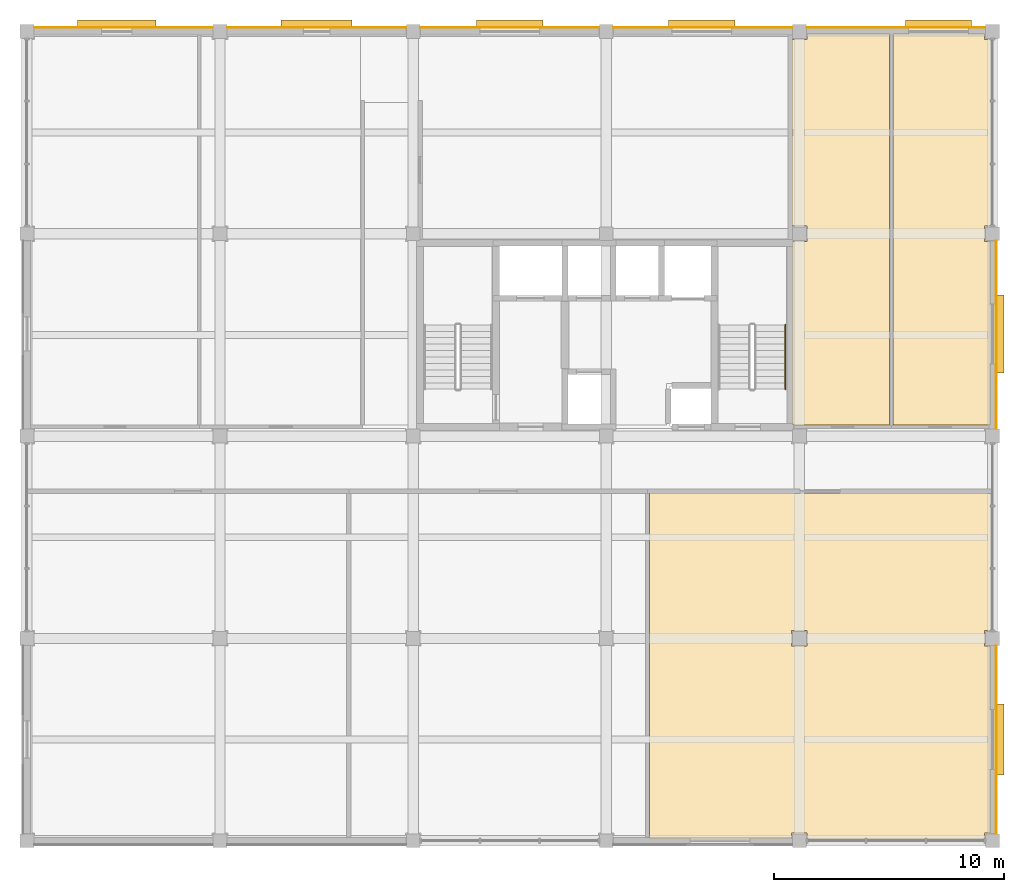
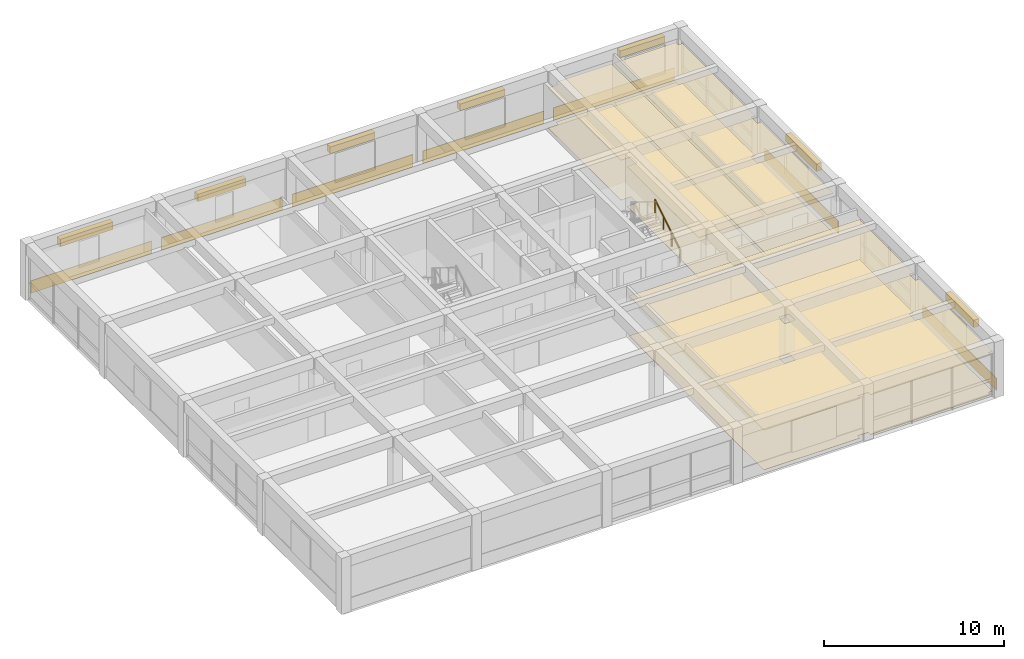
# One storey, part 14 of 14: 13 coverings, 7 shading devices, 1 railing.
"""IFC4 building model written with IfcOpenShell, lengths in metres."""

from ifc_helpers import new_model, si_unit, direction, frame, origin, origin_2d, place, context, subcontext, project, spatial, polyline, rectangle, circle, outline, extrude, material, layer, layer_set, type_object, element, save


model = new_model("IFC4")

# Units and contexts
model_context = context("Model", 3, precision=1e-05, world=origin(), true_north=direction((0.0, 1.0)))
body_context = subcontext(model_context, "Body", "Model", "MODEL_VIEW")
ifc_project = project(units=[si_unit("LENGTHUNIT", "METRE"), si_unit("AREAUNIT", "SQUARE_METRE"), si_unit("VOLUMEUNIT", "CUBIC_METRE"), si_unit("PLANEANGLEUNIT", "RADIAN"), si_unit("MASSUNIT", "GRAM", prefix="KILO")], contexts=[model_context])

# Site, building, storey
site_placement = place(None, origin())
site = spatial("IfcSite", under=ifc_project, at=site_placement, CompositionType="ELEMENT")
building_placement = place(site_placement, origin())
building = spatial("IfcBuilding", under=site, at=building_placement, Name="Kemercrest Conservatory and Botanical Centre", CompositionType="ELEMENT")
storey_placement = place(building_placement, frame((0.0, 0.0, 44.39990234375)))
storey = spatial("IfcBuildingStorey", under=building, at=storey_placement, Name="L11", CompositionType="ELEMENT", Elevation=44.39990234375)

# Coverings
ifc_material_1 = material(Name="Honed limestone almasik ashlar rainscreen", Category="masonry")
ifc_layer_1 = layer(ifc_material_1, 0.0400390625)
ifc_layer_set_1 = layer_set([ifc_layer_1], Name="Honed limestone almasik ashlar rainscreen")
covering_type_1 = type_object("IfcCoveringType", Name="CV-CLD040", PredefinedType="CLADDING", material=ifc_layer_set_1)
covering_1_placement = place(storey_placement, origin())
element("IfcCovering", 1, at=covering_1_placement, inside=storey, type_object=covering_type_1, Name="Exterior stone spandrel cladding (WAL:L11:EXT-303)", PredefinedType="CLADDING", context=body_context, shape_type="SweptSolid", body=[
    extrude(outline(polyline([(176.14990234375, 87.510009765625), (176.18994140625, 87.510009765625), (176.18994140625, 95.68994140625), (176.14990234375, 95.68994140625), (176.14990234375, 87.510009765625)])), origin(), (0.0, 0.0, 1.0), 0.85009765625),
])
covering_2_placement = place(storey_placement, origin())
element("IfcCovering", 2, at=covering_2_placement, inside=storey, type_object=covering_type_1, Name="Exterior stone spandrel cladding (WAL:L11:EXT-304)", PredefinedType="CLADDING", context=body_context, shape_type="SweptSolid", body=[
    extrude(outline(polyline([(176.14990234375, 105.110107421875), (176.18994140625, 105.110107421875), (176.18994140625, 113.2900390625), (176.14990234375, 113.2900390625), (176.14990234375, 105.110107421875)])), origin(), (0.0, 0.0, 1.0), 0.85009765625),
])
covering_3_placement = place(storey_placement, origin())
element("IfcCovering", 3, at=covering_3_placement, inside=storey, type_object=covering_type_1, Name="Exterior stone spandrel cladding (WAL:L11:EXT-305)", PredefinedType="CLADDING", context=body_context, shape_type="SweptSolid", body=[
    extrude(outline(polyline([(175.68994140625, 122.550048828125), (175.68994140625, 122.590087890625), (167.909912109375, 122.590087890625), (167.909912109375, 122.550048828125), (175.68994140625, 122.550048828125)])), origin(), (0.0, 0.0, 1.0), 0.85009765625),
])
covering_4_placement = place(storey_placement, origin())
element("IfcCovering", 4, at=covering_4_placement, inside=storey, type_object=covering_type_1, Name="Exterior stone spandrel cladding (WAL:L11:EXT-306)", PredefinedType="CLADDING", context=body_context, shape_type="SweptSolid", body=[
    extrude(outline(polyline([(167.2900390625, 122.550048828125), (167.2900390625, 122.590087890625), (159.510009765625, 122.590087890625), (159.510009765625, 122.550048828125), (167.2900390625, 122.550048828125)])), origin(), (0.0, 0.0, 1.0), 0.85009765625),
])
covering_5_placement = place(storey_placement, origin())
element("IfcCovering", 5, at=covering_5_placement, inside=storey, type_object=covering_type_1, Name="Exterior stone spandrel cladding (WAL:L11:EXT-307)", PredefinedType="CLADDING", context=body_context, shape_type="SweptSolid", body=[
    extrude(outline(polyline([(158.889892578125, 122.550048828125), (158.889892578125, 122.590087890625), (151.110107421875, 122.590087890625), (151.110107421875, 122.550048828125), (158.889892578125, 122.550048828125)])), origin(), (0.0, 0.0, 1.0), 0.85009765625),
])
covering_6_placement = place(storey_placement, origin())
element("IfcCovering", 6, at=covering_6_placement, inside=storey, type_object=covering_type_1, Name="Exterior stone spandrel cladding (WAL:L11:EXT-308)", PredefinedType="CLADDING", context=body_context, shape_type="SweptSolid", body=[
    extrude(outline(polyline([(150.489990234375, 122.550048828125), (150.489990234375, 122.590087890625), (142.7099609375, 122.590087890625), (142.7099609375, 122.550048828125), (150.489990234375, 122.550048828125)])), origin(), (0.0, 0.0, 1.0), 0.85009765625),
])
covering_7_placement = place(storey_placement, origin())
element("IfcCovering", 7, at=covering_7_placement, inside=storey, type_object=covering_type_1, Name="Exterior stone spandrel cladding (WAL:L11:EXT-309)", PredefinedType="CLADDING", context=body_context, shape_type="SweptSolid", body=[
    extrude(outline(polyline([(142.090087890625, 122.550048828125), (142.090087890625, 122.590087890625), (134.31005859375, 122.590087890625), (134.31005859375, 122.550048828125), (142.090087890625, 122.550048828125)])), origin(), (0.0, 0.0, 1.0), 0.85009765625),
])
ifc_material_2 = material(Name="Perforated acoustic gypsum and mineral-fibre suspended ceiling", Category="gypsum")
ifc_layer_2 = layer(ifc_material_2, 0.034912109375)
ifc_layer_set_2 = layer_set([ifc_layer_2], Name="Perforated acoustic gypsum and mineral-fibre suspended ceiling")
covering_type_2 = type_object("IfcCoveringType", Name="CV-CLG035", PredefinedType="CEILING", material=ifc_layer_set_2)
covering_8_placement = place(storey_placement, frame((0.0, 0.0, 2.7001953125)))
element("IfcCovering", 8, at=covering_8_placement, inside=storey, type_object=covering_type_2, Name="Germination Research Laboratory suspended acoustic ceiling", PredefinedType="CEILING", context=body_context, shape_type="SweptSolid", body=[
    extrude(outline(polyline([(167.260009765625, 87.5400390625), (167.93994140625, 87.5400390625), (167.93994140625, 87.280029296875), (175.659912109375, 87.280029296875), (175.659912109375, 87.5400390625), (175.919921875, 87.5400390625), (175.919921875, 95.659912109375), (175.659912109375, 95.659912109375), (175.659912109375, 96.340087890625), (175.919921875, 96.340087890625), (175.919921875, 102.320068359375), (161.080078125, 102.320068359375), (161.080078125, 87.280029296875), (167.260009765625, 87.280029296875), (167.260009765625, 87.5400390625)]), holes=[polyline([(167.260009765625, 96.340087890625), (167.93994140625, 96.340087890625), (167.93994140625, 95.659912109375), (167.260009765625, 95.659912109375), (167.260009765625, 96.340087890625)])]), origin(), (0.0, 0.0, 1.0), 0.034912109375),
])
covering_9_placement = place(storey_placement, frame((0.0, 0.0, 2.7001953125)))
element("IfcCovering", 9, at=covering_9_placement, inside=storey, type_object=covering_type_2, Name="Staff Washroom suspended acoustic ceiling", PredefinedType="CEILING", context=body_context, shape_type="SweptSolid", body=[
    extrude(outline(polyline([(167.280029296875, 105.280029296875), (171.52001953125, 105.280029296875), (171.52001953125, 122.320068359375), (167.93994140625, 122.320068359375), (167.93994140625, 122.06005859375), (167.280029296875, 122.06005859375), (167.280029296875, 113.93994140625), (167.93994140625, 113.93994140625), (167.93994140625, 113.260009765625), (167.280029296875, 113.260009765625), (167.280029296875, 105.280029296875)])), origin(), (0.0, 0.0, 1.0), 0.034912109375),
])
covering_10_placement = place(storey_placement, frame((0.0, 0.0, 2.7001953125)))
element("IfcCovering", 10, at=covering_10_placement, inside=storey, type_object=covering_type_2, Name="Accessible Washroom suspended acoustic ceiling", PredefinedType="CEILING", context=body_context, shape_type="SweptSolid", body=[
    extrude(outline(polyline([(171.679931640625, 105.280029296875), (175.919921875, 105.280029296875), (175.919921875, 113.260009765625), (175.659912109375, 113.260009765625), (175.659912109375, 113.93994140625), (175.919921875, 113.93994140625), (175.919921875, 122.06005859375), (175.659912109375, 122.06005859375), (175.659912109375, 122.320068359375), (171.679931640625, 122.320068359375), (171.679931640625, 105.280029296875)])), origin(), (0.0, 0.0, 1.0), 0.034912109375),
])
ifc_material_3 = material(Name="Polished limestone terrazzo and seamless laboratory epoxy flooring", Category="masonry")
ifc_layer_3 = layer(ifc_material_3, 0.02001953125)
ifc_layer_set_3 = layer_set([ifc_layer_3], Name="Polished limestone terrazzo and seamless laboratory epoxy flooring")
covering_type_3 = type_object("IfcCoveringType", Name="CV-FLR020", PredefinedType="FLOORING", material=ifc_layer_set_3)
covering_11_placement = place(storey_placement, origin())
element("IfcCovering", 11, at=covering_11_placement, inside=storey, type_object=covering_type_3, Name="Germination Research Laboratory floor finish", PredefinedType="FLOORING", context=body_context, shape_type="SweptSolid", body=[
    extrude(outline(polyline([(167.260009765625, 87.5400390625), (167.93994140625, 87.5400390625), (167.93994140625, 87.280029296875), (175.659912109375, 87.280029296875), (175.659912109375, 87.5400390625), (175.919921875, 87.5400390625), (175.919921875, 95.659912109375), (175.659912109375, 95.659912109375), (175.659912109375, 96.340087890625), (175.919921875, 96.340087890625), (175.919921875, 102.320068359375), (161.080078125, 102.320068359375), (161.080078125, 87.280029296875), (167.260009765625, 87.280029296875), (167.260009765625, 87.5400390625)]), holes=[polyline([(167.260009765625, 96.340087890625), (167.93994140625, 96.340087890625), (167.93994140625, 95.659912109375), (167.260009765625, 95.659912109375), (167.260009765625, 96.340087890625)])]), origin(), (0.0, 0.0, 1.0), 0.02001953125),
])
covering_12_placement = place(storey_placement, origin())
element("IfcCovering", 12, at=covering_12_placement, inside=storey, type_object=covering_type_3, Name="Staff Washroom floor finish", PredefinedType="FLOORING", context=body_context, shape_type="SweptSolid", body=[
    extrude(outline(polyline([(167.280029296875, 105.280029296875), (171.52001953125, 105.280029296875), (171.52001953125, 122.320068359375), (167.93994140625, 122.320068359375), (167.93994140625, 122.06005859375), (167.280029296875, 122.06005859375), (167.280029296875, 113.93994140625), (167.93994140625, 113.93994140625), (167.93994140625, 113.260009765625), (167.280029296875, 113.260009765625), (167.280029296875, 105.280029296875)])), origin(), (0.0, 0.0, 1.0), 0.02001953125),
])
covering_13_placement = place(storey_placement, origin())
element("IfcCovering", 13, at=covering_13_placement, inside=storey, type_object=covering_type_3, Name="Accessible Washroom floor finish", PredefinedType="FLOORING", context=body_context, shape_type="SweptSolid", body=[
    extrude(outline(polyline([(171.679931640625, 105.280029296875), (175.919921875, 105.280029296875), (175.919921875, 113.260009765625), (175.659912109375, 113.260009765625), (175.659912109375, 113.93994140625), (175.919921875, 113.93994140625), (175.919921875, 122.06005859375), (175.659912109375, 122.06005859375), (175.659912109375, 122.320068359375), (171.679931640625, 122.320068359375), (171.679931640625, 105.280029296875)])), origin(), (0.0, 0.0, 1.0), 0.02001953125),
])

# Railing
ifc_material_4 = material(Name="Brushed stainless steel wall-mounted handrail", Category="steel")
railing_type = type_object("IfcRailingType", Name="HR-STR090", PredefinedType="HANDRAIL", material=ifc_material_4)
railing_placement = place(storey_placement, frame((166.989990234375, 106.840087890625, 0.1728515625)))
element("IfcRailing", 14, at=railing_placement, inside=storey, type_object=railing_type, Name="L11 ST-V4B stair handrail 1", PredefinedType="HANDRAIL", context=body_context, shape_type="SweptSolid", body=[
    extrude(circle(Radius=0.02392578125, at=origin_2d()), frame((0.0, 0.0, 0.8759765625), z_axis=(0.0, 0.851069175582, 0.525053576669), x_axis=(-1.0, 0.0, 0.0)), (0.0, 0.0, 1.0), 3.289794921875),
    extrude(circle(Radius=0.02099609375, at=origin_2d()), origin(), (0.0, 0.0, 1.0), 0.851806640625),
    extrude(circle(Radius=0.02099609375, at=origin_2d()), frame((0.0, 0.933349609375, 0.57568359375)), (0.0, 0.0, 1.0), 0.851806640625),
    extrude(circle(Radius=0.02099609375, at=origin_2d()), frame((0.0, 1.866455078125, 1.151611328125)), (0.0, 0.0, 1.0), 0.851806640625),
    extrude(circle(Radius=0.02099609375, at=origin_2d()), frame((0.0, 2.7998046875, 1.727294921875)), (0.0, 0.0, 1.0), 0.851806640625),
])

# Shading devices
ifc_material_5 = material(Name="Architectural bronze-anodized extruded aluminium", Category="aluminium")
shading_device_type_1 = type_object("IfcShadingDeviceType", Name="SH-JL01", PredefinedType="JALOUSIE", material=ifc_material_5)
shading_device_1_placement = place(storey_placement, frame((173.64501953125, 122.722900390625, 2.7548828125), z_axis=(0.0, 0.0, 1.0), x_axis=(-1.0, 0.0, 0.0)))
element("IfcShadingDevice", 15, at=shading_device_1_placement, inside=storey, type_object=shading_device_type_1, Name="Solar control louvre visor SH-JL01 (WIN:L11:EXT-305)", PredefinedType="JALOUSIE", context=body_context, shape_type="SweptSolid", body=[
    extrude(rectangle(XDim=2.8798828125, YDim=0.35009765625, at=origin_2d()), origin(), (0.0, 0.0, 1.0), 0.449951171875),
])
shading_device_type_2 = type_object("IfcShadingDeviceType", Name="SH-JL02", PredefinedType="JALOUSIE", material=ifc_material_5)
shading_device_2_placement = place(storey_placement, frame((163.35498046875, 122.722900390625, 2.7548828125), z_axis=(0.0, 0.0, 1.0), x_axis=(-1.0, 0.0, 0.0)))
element("IfcShadingDevice", 16, at=shading_device_2_placement, inside=storey, type_object=shading_device_type_2, Name="Solar control louvre visor SH-JL02 (WIN:L11:EXT-306)", PredefinedType="JALOUSIE", context=body_context, shape_type="SweptSolid", body=[
    extrude(rectangle(XDim=2.8798828125, YDim=0.35009765625, at=origin_2d()), origin(), (0.0, 0.0, 1.0), 0.449951171875),
])
shading_device_type_3 = type_object("IfcShadingDeviceType", Name="SH-JL03", PredefinedType="JALOUSIE", material=ifc_material_5)
shading_device_3_placement = place(storey_placement, frame((155.0, 122.722900390625, 2.7548828125), z_axis=(0.0, 0.0, 1.0), x_axis=(-1.0, 0.0, 0.0)))
element("IfcShadingDevice", 17, at=shading_device_3_placement, inside=storey, type_object=shading_device_type_3, Name="Solar control louvre visor SH-JL03 (WIN:L11:EXT-307)", PredefinedType="JALOUSIE", context=body_context, shape_type="SweptSolid", body=[
    extrude(rectangle(XDim=2.8798828125, YDim=0.35009765625, at=origin_2d()), origin(), (0.0, 0.0, 1.0), 0.449951171875),
])
shading_device_type_4 = type_object("IfcShadingDeviceType", Name="SH-JL04", PredefinedType="JALOUSIE", material=ifc_material_5)
for number, where, z_axis, x_axis, name in (
    (18, (176.322998046875, 91.60009765625, 2.72998046875), (0.0, 0.0, 1.0), (0.0, 1.0, 0.0), "Solar control louvre visor SH-JL04 (WIN:L11:EXT-303)"),
    (19, (146.60009765625, 122.722900390625, 2.47021484375), (0.0, 0.0, 1.0), (-1.0, 0.0, 0.0), "Solar control louvre visor SH-JL04 (WIN:L11:EXT-308)"),
):
    element("IfcShadingDevice", number, at=place(storey_placement, frame(where, z_axis=z_axis, x_axis=x_axis)), inside=storey, type_object=shading_device_type_4, Name=name, PredefinedType="JALOUSIE", context=body_context, shape_type="SweptSolid", body=[
        extrude(rectangle(XDim=3.10009765625, YDim=0.35009765625, at=origin_2d()), origin(), (0.0, 0.0, 1.0), 0.5),
    ])
shading_device_type_5 = type_object("IfcShadingDeviceType", Name="SH-JL05", PredefinedType="JALOUSIE", material=ifc_material_5)
for number, where, z_axis, x_axis, name in (
    (20, (176.322998046875, 109.2451171875, 2.72998046875), (0.0, 0.0, 1.0), (0.0, 1.0, 0.0), "Solar control louvre visor SH-JL05 (WIN:L11:EXT-304)"),
    (21, (137.905029296875, 122.722900390625, 2.510009765625), (0.0, 0.0, 1.0), (-1.0, 0.0, 0.0), "Solar control louvre visor SH-JL05 (WIN:L11:EXT-309)"),
):
    element("IfcShadingDevice", number, at=place(storey_placement, frame(where, z_axis=z_axis, x_axis=x_axis)), inside=storey, type_object=shading_device_type_5, Name=name, PredefinedType="JALOUSIE", context=body_context, shape_type="SweptSolid", body=[
        extrude(rectangle(XDim=3.39990234375, YDim=0.35009765625, at=origin_2d()), origin(), (0.0, 0.0, 1.0), 0.5),
    ])

save(model, "model.ifc")
